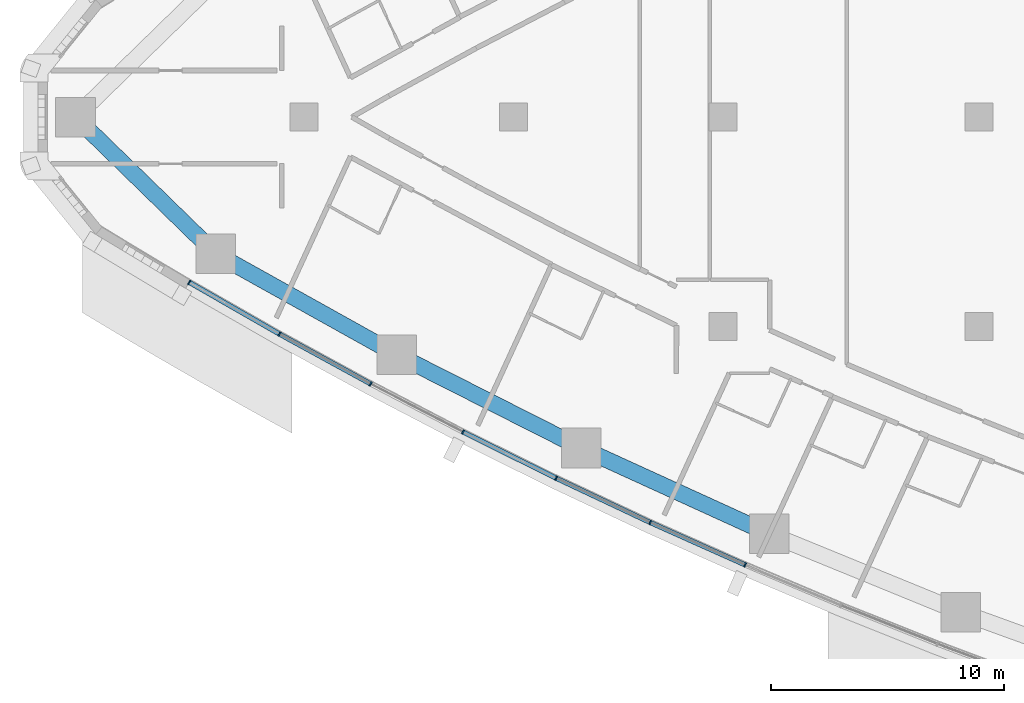
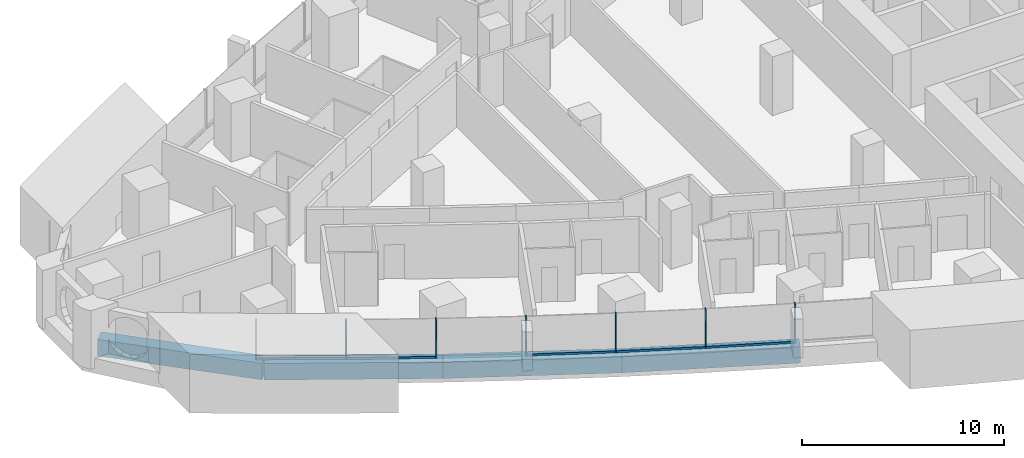
# One storey, part 2 of 17: 12 members, 4 beams, 3 elements without a shape of their own.
"""IFC4 building model written with IfcOpenShell, lengths in metres."""

import ifcopenshell
import ifcopenshell.guid

model = None  # the IFC model being written
_history = None  # IfcOwnerHistory: only IFC2X3 demands one
_inside = {}  # id of a spatial element -> (the spatial element, [elements in it])
_under = {}  # id of a project, library or spatial element -> (it, [spatial elements below it])
_declared = {}  # id of a project -> (the project, [libraries it declares])
_typed = {}  # id of a type object -> (the type object, [elements of that type])
_made_of = {}  # id of a material, layer set ... -> (it, [elements and type objects made of it])


def new_model(schema):
    """Start an empty IFC model of exactly this schema.

    Asked for "IFC4X3", IfcOpenShell would pick the latest addendum, in which some entities
    have other attributes; the version numbers below select the first issue.
    IFC2X3 requires an IfcOwnerHistory on every rooted entity: one is made here for all.
    """
    global model, _history
    if schema == "IFC4X3":
        model = ifcopenshell.file(schema_version=(4, 3, 0, 0))
    else:
        model = ifcopenshell.file(schema=schema)
    _inside.clear()
    _under.clear()
    _declared.clear()
    _typed.clear()
    _made_of.clear()
    _history = None
    if model.schema == "IFC2X3":
        org = make("IfcOrganization", Name="unknown")
        user = make(
            "IfcPersonAndOrganization",
            ThePerson=make("IfcPerson", FamilyName="unknown"),
            TheOrganization=org,
        )
        app = make(
            "IfcApplication",
            ApplicationDeveloper=org,
            Version="unknown",
            ApplicationFullName="unknown",
            ApplicationIdentifier="unknown",
        )
        _history = make(
            "IfcOwnerHistory",
            OwningUser=user,
            OwningApplication=app,
            ChangeAction="ADDED",
            CreationDate=0,
        )
    return model


def make(cls, **values):
    """One entity of the class cls with the attributes given. An attribute that is None is left unset."""
    return model.create_entity(
        cls, **{name: value for name, value in values.items() if value is not None}
    )


def rooted(cls, **values):
    """An entity with a GlobalId (a new one), such as an element, a storey or a relation."""
    return make(cls, GlobalId=ifcopenshell.guid.new(), OwnerHistory=_history, **values)


def si_unit(unit_type, name, prefix=None):
    """IfcSIUnit, for example si_unit("LENGTHUNIT", "METRE", prefix="MILLI")."""
    return make("IfcSIUnit", UnitType=unit_type, Prefix=prefix, Name=name)


def assignment(units):
    """IfcUnitAssignment: the units of a project."""
    return None if units is None else make("IfcUnitAssignment", Units=units)


def point(xyz):
    """IfcCartesianPoint."""
    return None if xyz is None else make("IfcCartesianPoint", Coordinates=xyz)


def direction(xyz):
    """IfcDirection."""
    return None if xyz is None else make("IfcDirection", DirectionRatios=xyz)


def frame(location, z_axis=None, x_axis=None):
    """IfcAxis2Placement3D, a coordinate frame: its origin and axes. An axis left out is left unset."""
    return make(
        "IfcAxis2Placement3D",
        Location=point(location),
        Axis=direction(z_axis),
        RefDirection=direction(x_axis),
    )


def frame_2d(location, x_axis=None):
    """IfcAxis2Placement2D, a coordinate frame in the plane: its origin and x axis."""
    return make(
        "IfcAxis2Placement2D", Location=point(location), RefDirection=direction(x_axis)
    )


def origin():
    """The frame at (0, 0, 0) with its axes left unset."""
    return frame((0.0, 0.0, 0.0))


def origin_2d():
    """The frame at (0, 0) in the plane with its x axis left unset."""
    return frame_2d((0.0, 0.0))


def place(relative_to, where):
    """IfcLocalPlacement: puts the frame where relative to a parent placement (None: the world)."""
    return make(
        "IfcLocalPlacement", PlacementRelTo=relative_to, RelativePlacement=where
    )


def context(
    kind, dimensions, precision=None, world=None, true_north=None, identifier=None
):
    """IfcGeometricRepresentationContext, for example the 3D "Model" context."""
    return make(
        "IfcGeometricRepresentationContext",
        ContextIdentifier=identifier,
        ContextType=kind,
        CoordinateSpaceDimension=dimensions,
        Precision=precision,
        WorldCoordinateSystem=world,
        TrueNorth=true_north,
    )


def subcontext(parent, identifier, kind, view, scale=None):
    """IfcGeometricRepresentationSubContext, for example "Body" below "Model"."""
    return make(
        "IfcGeometricRepresentationSubContext",
        ContextIdentifier=identifier,
        ContextType=kind,
        ParentContext=parent,
        TargetScale=scale,
        TargetView=view,
    )


def project(units=None, contexts=None):
    """IfcProject with its units and contexts."""
    return rooted(
        "IfcProject",
        Name="project",
        RepresentationContexts=contexts,
        UnitsInContext=assignment(units),
    )


def spatial(cls, under=None, at=None, **own):
    """A site, building, storey or space (cls), placed at a placement, below another one or the project."""
    s = rooted(cls, ObjectPlacement=at, **own)
    if under is not None:
        _under.setdefault(under.id(), (under, []))[1].append(s)
    return s


def profile(cls, at=None, kind="AREA", **sizes):
    """A parametric profile (cls). Its sizes go by their IFC names, for example OverallWidth=200.0."""
    return make(cls, ProfileType=kind, Position=at, **sizes)


def rectangle(**sizes):
    """IfcRectangleProfileDef."""
    return profile("IfcRectangleProfileDef", **sizes)


def extrude(swept, where, along, depth):
    """IfcExtrudedAreaSolid: the profile swept, set in the frame where, extruded along a direction by depth."""
    return make(
        "IfcExtrudedAreaSolid",
        SweptArea=swept,
        Position=where,
        ExtrudedDirection=direction(along),
        Depth=depth,
    )


def shape(context_of_items, identifier, shape_type, items):
    """IfcShapeRepresentation: the items that make up one representation, for example the "Body"."""
    return make(
        "IfcShapeRepresentation",
        ContextOfItems=context_of_items,
        RepresentationIdentifier=identifier,
        RepresentationType=shape_type,
        Items=items,
    )


def material(Name=None, Category=None):
    """IfcMaterial."""
    return make("IfcMaterial", Name=Name, Category=Category)


def layer(
    of_material, thickness, ventilated=None, Name=None, Category=None, Priority=None
):
    """IfcMaterialLayer: one layer of a wall or slab, of a material (None: an air gap)."""
    return make(
        "IfcMaterialLayer",
        Material=of_material,
        LayerThickness=thickness,
        IsVentilated=ventilated,
        Name=Name,
        Category=Category,
        Priority=Priority,
    )


def layer_set(layers, Name=None):
    """IfcMaterialLayerSet."""
    return make("IfcMaterialLayerSet", MaterialLayers=layers, LayerSetName=Name)


def material_profile(
    of_material, cross_section, Name=None, Category=None, Priority=None
):
    """IfcMaterialProfile: a cross section and its material."""
    return make(
        "IfcMaterialProfile",
        Name=Name,
        Material=of_material,
        Profile=cross_section,
        Priority=Priority,
        Category=Category,
    )


def profile_set(profiles, Name=None, composite=None):
    """IfcMaterialProfileSet."""
    return make(
        "IfcMaterialProfileSet",
        Name=Name,
        MaterialProfiles=profiles,
        CompositeProfile=composite,
    )


def made_of(thing, what):
    """Note that an element or type object is made of a material, layer set ...; save() writes the relation."""
    if what is not None:
        _made_of.setdefault(what.id(), (what, []))[1].append(thing)
    return thing


def type_object(cls, material=None, **own):
    """A type object (cls), such as IfcWallType, which elements share."""
    return made_of(rooted(cls, **own), material)


def element(
    cls,
    number,
    at=None,
    inside=None,
    cuts=None,
    type_object=None,
    material=None,
    context=None,
    identifier="Body",
    shape_type=None,
    held_by="IfcProductDefinitionShape",
    body=None,
    shapes=None,
    **own,
):
    """One element of the class cls, such as IfcWall. Its Tag is "e" and its number.

    at: its placement. inside: the storey or other place that contains it. cuts: it is an
    opening in that element (IfcRelVoidsElement). A single representation is given by context,
    identifier, shape_type and body (its items); several are given by shapes. held_by: the class
    of the entity that holds the representations. save() writes the other relations.
    """
    e = rooted(cls, Tag="e%d" % number, ObjectPlacement=at, **own)
    if body is not None:
        shapes = [shape(context, identifier, shape_type, body)]
    if shapes is not None:
        e.Representation = make(held_by, Representations=shapes)
    if inside is not None:
        _inside.setdefault(inside.id(), (inside, []))[1].append(e)
    if cuts is not None:
        rooted(
            "IfcRelVoidsElement", RelatingBuildingElement=cuts, RelatedOpeningElement=e
        )
    if type_object is not None:
        _typed.setdefault(type_object.id(), (type_object, []))[1].append(e)
    return made_of(e, material)


def aggregate(whole, parts):
    """IfcRelAggregates: a whole, such as a stair, and the parts it consists of."""
    return rooted("IfcRelAggregates", RelatingObject=whole, RelatedObjects=parts)


def save(model, path):
    """Write the relations noted so far, then the file.

    IfcRelAggregates (storeys below a building ...), IfcRelContainedInSpatialStructure (elements
    in a storey), IfcRelDefinesByType, IfcRelAssociatesMaterial and IfcRelDeclares: one each for
    every whole, place, type object, material and project.
    """
    for whole, parts in _under.values():
        aggregate(whole, parts)
    for where, things in _inside.values():
        rooted(
            "IfcRelContainedInSpatialStructure",
            RelatedElements=things,
            RelatingStructure=where,
        )
    for kind, things in _typed.values():
        rooted("IfcRelDefinesByType", RelatedObjects=things, RelatingType=kind)
    for what, things in _made_of.values():
        rooted("IfcRelAssociatesMaterial", RelatedObjects=things, RelatingMaterial=what)
    for by, libraries in _declared.values():
        rooted("IfcRelDeclares", RelatingContext=by, RelatedDefinitions=libraries)
    model.write(path)


model = new_model("IFC4")

# Units and contexts
model_context = context("Model", 3, precision=1e-05, world=origin(), true_north=direction((0.0, 1.0)))
body_context = subcontext(model_context, "Body", "Model", "MODEL_VIEW")
ifc_project = project(units=[si_unit("LENGTHUNIT", "METRE"), si_unit("AREAUNIT", "SQUARE_METRE"), si_unit("VOLUMEUNIT", "CUBIC_METRE"), si_unit("PLANEANGLEUNIT", "RADIAN"), si_unit("MASSUNIT", "GRAM", prefix="KILO")], contexts=[model_context])

# Site, building, storey
site_placement = place(None, origin())
site = spatial("IfcSite", under=ifc_project, at=site_placement, CompositionType="ELEMENT")
building_placement = place(site_placement, origin())
building = spatial("IfcBuilding", under=site, at=building_placement, Name="Ostrand Prow Hotel Tower", CompositionType="ELEMENT")
storey_placement = place(building_placement, frame((0.0, 0.0, 84.89990234375)))
storey = spatial("IfcBuildingStorey", under=building, at=storey_placement, Name="L19", CompositionType="ELEMENT", Elevation=84.89990234375)

# Beams
ifc_material_1 = material(Name="Concrete C80/95", Category="concrete")
ifc_material_profile_1 = material_profile(ifc_material_1, rectangle(XDim=0.699951171875, YDim=1.0, at=origin_2d()), Name="RC 700x1000")
ifc_profile_set_1 = profile_set([ifc_material_profile_1], Name="Concrete C80/95")
beam_type = type_object("IfcBeamType", Name="Edge beam 700x1000 C80/95", PredefinedType="SPANDREL", material=ifc_profile_set_1)
beam_1_placement = place(storey_placement, frame((6.193115234375, 0.0, -0.7998046875), z_axis=(0.716082759826, -0.698015387423, 0.0), x_axis=(0.698015387423, 0.716082759826, 0.0)))
element("IfcBeam", 1, at=beam_1_placement, inside=storey, type_object=beam_type, Name="Edge beam P-S1", PredefinedType="SPANDREL", context=body_context, shape_type="SweptSolid", body=[
    extrude(rectangle(XDim=0.699951171875, YDim=1.0, at=origin_2d()), origin(), (0.0, 0.0, 1.0), 8.41845703125),
])
beam_2_placement = place(storey_placement, frame((12.221435546875, -5.876220703125, -0.7998046875), z_axis=(0.873452439955, -0.486909473245, 0.0), x_axis=(0.486909473245, 0.873452439955, 0.0)))
element("IfcBeam", 2, at=beam_2_placement, inside=storey, type_object=beam_type, Name="Edge beam S1-S2", PredefinedType="SPANDREL", context=body_context, shape_type="SweptSolid", body=[
    extrude(rectangle(XDim=0.699951171875, YDim=1.0, at=origin_2d()), origin(), (0.0, 0.0, 1.0), 8.883544921875),
])
beam_3_placement = place(storey_placement, frame((19.980712890625, -10.20166015625, -0.7998046875), z_axis=(0.892284288592, -0.451473973039, 0.0), x_axis=(0.451473973039, 0.892284288592, 0.0)))
element("IfcBeam", 3, at=beam_3_placement, inside=storey, type_object=beam_type, Name="Edge beam S2-S3", PredefinedType="SPANDREL", context=body_context, shape_type="SweptSolid", body=[
    extrude(rectangle(XDim=0.699951171875, YDim=1.0, at=origin_2d()), origin(), (0.0, 0.0, 1.0), 8.883056640625),
])
beam_4_placement = place(storey_placement, frame((27.906982421875, -14.212158203125, -0.7998046875), z_axis=(0.909681006953, -0.415307675813, 0.0), x_axis=(0.415307675813, 0.909681006953, 0.0)))
element("IfcBeam", 4, at=beam_4_placement, inside=storey, type_object=beam_type, Name="Edge beam S3-S4", PredefinedType="SPANDREL", context=body_context, shape_type="SweptSolid", body=[
    extrude(rectangle(XDim=0.699951171875, YDim=1.0, at=origin_2d()), origin(), (0.0, 0.0, 1.0), 8.883544921875),
])

# Curtain wall, members
ifc_material_2 = material(Name="Insulated glass in bronze anodised frame", Category="glass")
ifc_layer = layer(ifc_material_2, 0.199951171875)
ifc_layer_set = layer_set([ifc_layer], Name="Insulated glass in bronze anodised frame")
curtain_wall_type = type_object("IfcCurtainWallType", Name="Strip curtain wall, fritted glass over bronze spandrel", PredefinedType="NOTDEFINED", material=ifc_layer_set)
curtain_wall_1_placement = place(storey_placement, origin())
curtain_wall_1 = element("IfcCurtainWall", 5, at=curtain_wall_1_placement, inside=storey, type_object=curtain_wall_type, Name="CW1 run CWS1", PredefinedType="NOTDEFINED")
ifc_material_3 = material(Name="Bronze anodised aluminium", Category="aluminium")
ifc_material_profile_2 = material_profile(ifc_material_3, rectangle(XDim=0.199951171875, YDim=0.06005859375, at=origin_2d()), Name="Mullion 60x200 bronze anodised aluminium")
ifc_profile_set_2 = profile_set([ifc_material_profile_2], Name="Bronze anodised aluminium")
member_type_1 = type_object("IfcMemberType", Name="Mullion 60x200 bronze anodised aluminium", PredefinedType="MULLION", material=ifc_profile_set_2)
member_1_placement = place(storey_placement, frame((11.076416015625, -7.099853515625, 0.900146484375), z_axis=(0.0, 0.0, 1.0), x_axis=(0.497114806368, 0.867684775301, 0.0)))
member_1 = element("IfcMember", 6, at=member_1_placement, type_object=member_type_1, Name="CW1 mullion 1", PredefinedType="MULLION", context=body_context, shape_type="SweptSolid", body=[
    extrude(rectangle(XDim=0.199951171875, YDim=0.06005859375, at=origin_2d()), origin(), (0.0, 0.0, 1.0), 2.349853515625),
])
member_2_placement = place(storey_placement, frame((14.951416015625, -9.320068359375, 0.900146484375), z_axis=(0.0, 0.0, 1.0), x_axis=(0.479637052103, 0.877466978439, 0.0)))
member_2 = element("IfcMember", 7, at=member_2_placement, type_object=member_type_1, Name="CW1 mullion 2", PredefinedType="MULLION", context=body_context, shape_type="SweptSolid", body=[
    extrude(rectangle(XDim=0.199951171875, YDim=0.06005859375, at=origin_2d()), origin(), (0.0, 0.0, 1.0), 2.349853515625),
])
member_3_placement = place(storey_placement, frame((18.870361328125, -11.4619140625, 0.900146484375), z_axis=(0.0, 0.0, 1.0), x_axis=(0.479637052103, 0.877466978439, 0.0)))
member_3 = element("IfcMember", 8, at=member_3_placement, type_object=member_type_1, Name="CW1 mullion 3", PredefinedType="MULLION", context=body_context, shape_type="SweptSolid", body=[
    extrude(rectangle(XDim=0.199951171875, YDim=0.06005859375, at=origin_2d()), origin(), (0.0, 0.0, 1.0), 2.349853515625),
])

curtain_wall_2_placement = place(storey_placement, origin())
curtain_wall_2 = element("IfcCurtainWall", 9, at=curtain_wall_2_placement, inside=storey, type_object=curtain_wall_type, Name="CW1 run CWS2", PredefinedType="NOTDEFINED")
member_4_placement = place(storey_placement, frame((22.831298828125, -13.525146484375, 0.900146484375), z_axis=(0.0, 0.0, 1.0), x_axis=(0.44411295748, 0.895970803653, 0.0)))
member_4 = element("IfcMember", 10, at=member_4_placement, type_object=member_type_1, Name="CW1 mullion 2", PredefinedType="MULLION", context=body_context, shape_type="SweptSolid", body=[
    extrude(rectangle(XDim=0.199951171875, YDim=0.06005859375, at=origin_2d()), origin(), (0.0, 0.0, 1.0), 2.349853515625),
])
member_5_placement = place(storey_placement, frame((26.83251953125, -15.508544921875, 0.900146484375), z_axis=(0.0, 0.0, 1.0), x_axis=(0.44411295748, 0.895970803653, 0.0)))
member_5 = element("IfcMember", 11, at=member_5_placement, type_object=member_type_1, Name="CW1 mullion 3", PredefinedType="MULLION", context=body_context, shape_type="SweptSolid", body=[
    extrude(rectangle(XDim=0.199951171875, YDim=0.06005859375, at=origin_2d()), origin(), (0.0, 0.0, 1.0), 2.349853515625),
])

curtain_wall_3_placement = place(storey_placement, origin())
curtain_wall_3 = element("IfcCurtainWall", 12, at=curtain_wall_3_placement, inside=storey, type_object=curtain_wall_type, Name="CW1 run CWS3", PredefinedType="NOTDEFINED")
member_6_placement = place(storey_placement, frame((30.872802734375, -17.41162109375, 0.900146484375), z_axis=(0.0, 0.0, 1.0), x_axis=(0.407874755419, 0.913037887435, 0.0)))
member_6 = element("IfcMember", 13, at=member_6_placement, type_object=member_type_1, Name="CW1 mullion 2", PredefinedType="MULLION", context=body_context, shape_type="SweptSolid", body=[
    extrude(rectangle(XDim=0.199951171875, YDim=0.06005859375, at=origin_2d()), origin(), (0.0, 0.0, 1.0), 2.349853515625),
])
member_7_placement = place(storey_placement, frame((34.95068359375, -19.233154296875, 0.900146484375), z_axis=(0.0, 0.0, 1.0), x_axis=(0.407874755419, 0.913037887435, 0.0)))
member_7 = element("IfcMember", 14, at=member_7_placement, type_object=member_type_1, Name="CW1 mullion 3", PredefinedType="MULLION", context=body_context, shape_type="SweptSolid", body=[
    extrude(rectangle(XDim=0.199951171875, YDim=0.06005859375, at=origin_2d()), origin(), (0.0, 0.0, 1.0), 2.349853515625),
])

# Member
ifc_material_4 = material(Name="Bronze anodised aluminium", Category="aluminium")
ifc_material_profile_3 = material_profile(ifc_material_4, rectangle(XDim=0.199951171875, YDim=0.1201171875, at=origin_2d()), Name="Transom 120x200 bronze anodised aluminium")
ifc_profile_set_3 = profile_set([ifc_material_profile_3], Name="Bronze anodised aluminium")
member_type_2 = type_object("IfcMemberType", Name="Transom 120x200 bronze anodised aluminium", PredefinedType="USERDEFINED", material=ifc_profile_set_3)
member_8_placement = place(storey_placement, frame((11.1025390625, -7.11474609375, 0.960205078125), z_axis=(0.86766970623, -0.497141107625, 0.0), x_axis=(0.497141107625, 0.86766970623, 0.0)))
member_8 = element("IfcMember", 15, at=member_8_placement, type_object=member_type_2, Name="CW1 transom 1.1", ObjectType="TRANSOM", PredefinedType="USERDEFINED", context=body_context, shape_type="SweptSolid", body=[
    extrude(rectangle(XDim=0.199951171875, YDim=0.1201171875, at=origin_2d()), origin(), (0.0, 0.0, 1.0), 4.406005859375),
])

member_9_placement = place(storey_placement, frame((14.977783203125, -9.33447265625, 0.960205078125), z_axis=(0.877471714137, -0.479628388328, 0.0), x_axis=(0.479628388328, 0.877471714137, 0.0)))
member_9 = element("IfcMember", 16, at=member_9_placement, type_object=member_type_2, Name="CW1 transom 2.1", ObjectType="TRANSOM", PredefinedType="USERDEFINED", context=body_context, shape_type="SweptSolid", body=[
    extrude(rectangle(XDim=0.199951171875, YDim=0.1201171875, at=origin_2d()), origin(), (0.0, 0.0, 1.0), 4.406005859375),
])

aggregate(curtain_wall_1, [member_1, member_2, member_3, member_8, member_9])

member_10_placement = place(storey_placement, frame((22.858154296875, -13.53857421875, 0.960205078125), z_axis=(0.895962348168, -0.444130015497, 0.0), x_axis=(0.444130015497, 0.895962348168, 0.0)))
member_10 = element("IfcMember", 17, at=member_10_placement, type_object=member_type_2, Name="CW1 transom 2.1", ObjectType="TRANSOM", PredefinedType="USERDEFINED", context=body_context, shape_type="SweptSolid", body=[
    extrude(rectangle(XDim=0.199951171875, YDim=0.1201171875, at=origin_2d()), origin(), (0.0, 0.0, 1.0), 4.406005859375),
])

aggregate(curtain_wall_2, [member_4, member_5, member_10])

member_11_placement = place(storey_placement, frame((26.859619140625, -15.521484375, 0.960205078125), z_axis=(0.904696854963, -0.42605586561, 0.0), x_axis=(0.42605586561, 0.904696854963, 0.0)))
member_11 = element("IfcMember", 18, at=member_11_placement, type_object=member_type_2, Name="CW1 transom 1.1", ObjectType="TRANSOM", PredefinedType="USERDEFINED", context=body_context, shape_type="SweptSolid", body=[
    extrude(rectangle(XDim=0.199951171875, YDim=0.1201171875, at=origin_2d()), origin(), (0.0, 0.0, 1.0), 4.406005859375),
])

member_12_placement = place(storey_placement, frame((30.900390625, -17.423583984375, 0.960205078125), z_axis=(0.913030665163, -0.407890922271, 0.0), x_axis=(0.407890922271, 0.913030665163, 0.0)))
member_12 = element("IfcMember", 19, at=member_12_placement, type_object=member_type_2, Name="CW1 transom 2.1", ObjectType="TRANSOM", PredefinedType="USERDEFINED", context=body_context, shape_type="SweptSolid", body=[
    extrude(rectangle(XDim=0.199951171875, YDim=0.1201171875, at=origin_2d()), origin(), (0.0, 0.0, 1.0), 4.40576171875),
])

aggregate(curtain_wall_3, [member_6, member_7, member_11, member_12])

save(model, "model.ifc")
